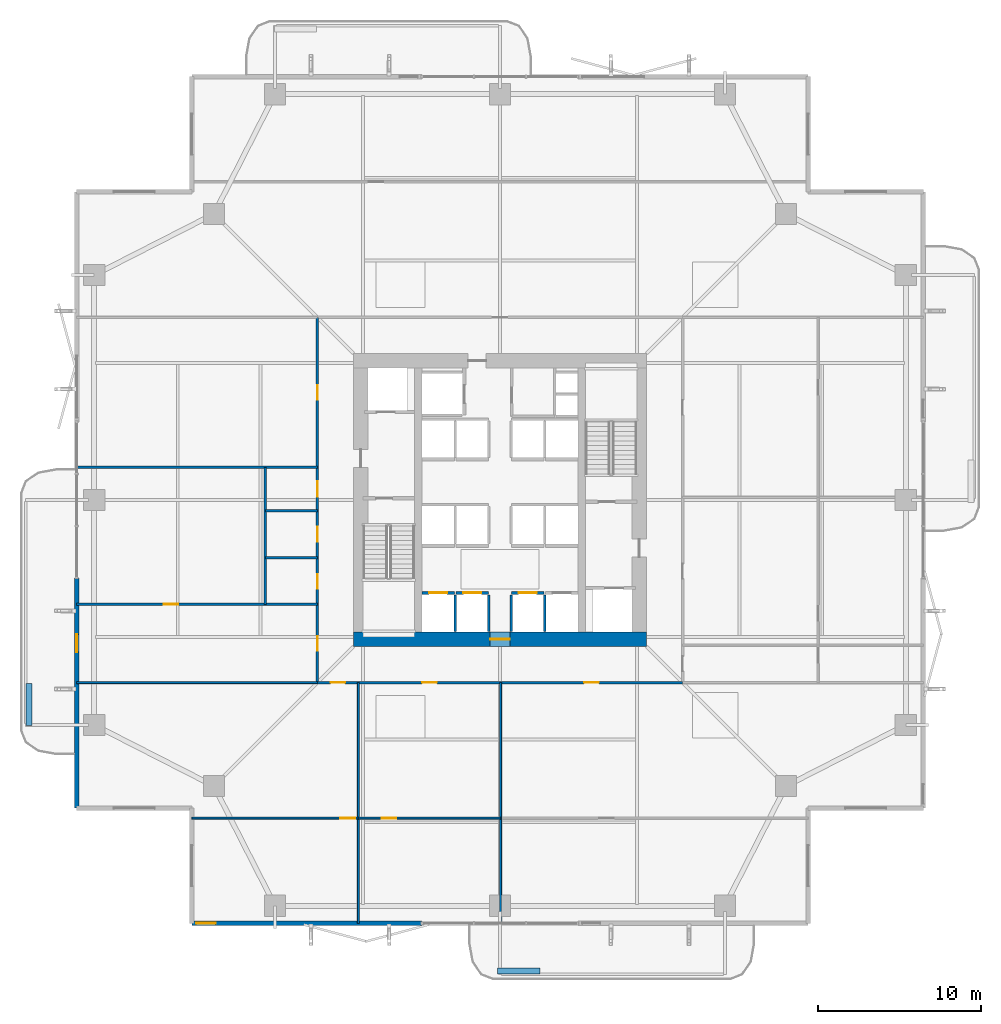
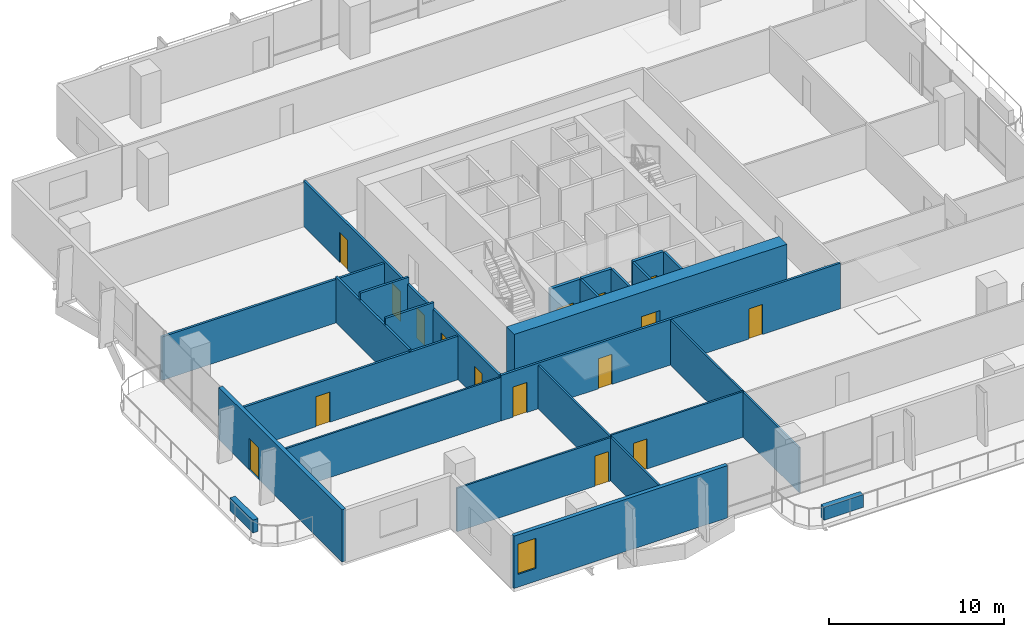
# One storey, part 17 of 24: 24 walls, 16 doors, 1 window, 17 openings.
"""IFC4 building model written with IfcOpenShell, lengths in metres."""

from ifc_helpers import new_model, si_unit, direction, frame, frame_2d, origin, place, context, subcontext, project, spatial, rectangle, extrude, material, layer, layer_set, type_object, element, fill, save


model = new_model("IFC4")

# Units and contexts
model_context = context("Model", 3, precision=1e-05, world=origin(), true_north=direction((0.0, 1.0)))
body_context = subcontext(model_context, "Body", "Model", "MODEL_VIEW")
ifc_project = project(units=[si_unit("LENGTHUNIT", "METRE"), si_unit("AREAUNIT", "SQUARE_METRE"), si_unit("VOLUMEUNIT", "CUBIC_METRE"), si_unit("PLANEANGLEUNIT", "RADIAN"), si_unit("MASSUNIT", "GRAM", prefix="KILO")], contexts=[model_context])

# Site, building, storey
site_placement = place(None, origin())
site = spatial("IfcSite", under=ifc_project, at=site_placement, CompositionType="ELEMENT")
building_placement = place(site_placement, origin())
building = spatial("IfcBuilding", under=site, at=building_placement, Name="Belovzor Exchange Tower", CompositionType="ELEMENT")
storey_placement = place(building_placement, frame((0.0, 0.0, 121.199951171875)))
storey = spatial("IfcBuildingStorey", under=building, at=storey_placement, Name="L29", CompositionType="ELEMENT", Elevation=121.199951171875)

# Wall, opening, door
ifc_material_1 = material(Name="Acoustic Plasterboard on Galvanised Studs", Category="gypsum")
ifc_layer_1 = layer(ifc_material_1, 0.1201171875)
ifc_layer_set_1 = layer_set([ifc_layer_1], Name="Acoustic Plasterboard on Galvanised Studs")
wall_type_1 = type_object("IfcWallType", Name="Acoustic Double-Stud Partition Wall 120", PredefinedType="PARTITIONING", material=ifc_layer_set_1)
wall_1_placement = place(storey_placement, frame((9.89990234375, 9.280029296875, 0.0), z_axis=(0.0, 0.0, 1.0), x_axis=(1.0, 0.0, 0.0)))
wall_1 = element("IfcWall", 1, at=wall_1_placement, inside=storey, type_object=wall_type_1, Name="W-P120 Partition Wall W-L29-SHDIV-0", PredefinedType="PARTITIONING", context=body_context, shape_type="SweptSolid", body=[
    extrude(rectangle(XDim=10.2080078125, YDim=0.1201171875, at=frame_2d((5.10400390625, 0.0))), origin(), (0.0, 0.0, 1.0), 3.03515625),
])
opening_1_placement = place(wall_1_placement, frame((9.10791015625, 0.0, 0.0)))
opening_1 = element("IfcOpeningElement", 2, at=opening_1_placement, cuts=wall_1, Name="Opening D-INT-090", PredefinedType="OPENING", context=body_context, shape_type="SweptSolid", body=[
    extrude(rectangle(XDim=0.89990234375, YDim=2.10009765625, at=frame_2d((0.449951171875, 1.050048828125))), frame((0.0, 0.070068359375, 0.0), z_axis=(0.0, -1.0, 0.0), x_axis=(1.0, 0.0, 0.0)), (0.0, 0.0, 1.0), 0.14013671875),
])
ifc_material_2 = material(Name="Veneered Hardwood Acoustic Leaf", Category="wood")
door_type_1 = type_object("IfcDoorType", Name="Trading Suite Acoustic Single Door 900x2100", OperationType="NOTDEFINED", PredefinedType="DOOR", material=ifc_material_2)
door_1_placement = place(opening_1_placement, origin())
door_1 = element("IfcDoor", 3, at=door_1_placement, inside=storey, type_object=door_type_1, Name="D-INT-090 Trading Suite Acoustic Single Door 900x2100", OperationType="SINGLE_SWING_LEFT", OverallHeight=2.10009765625, OverallWidth=0.89990234375, PredefinedType="DOOR", context=body_context, shape_type="SweptSolid", body=[
    extrude(rectangle(XDim=0.89990234375, YDim=2.10009765625, at=frame_2d((0.449951171875, 1.050048828125))), frame((0.0, 0.02490234375, 0.0), z_axis=(0.0, -1.0, 0.0), x_axis=(1.0, 0.0, 0.0)), (0.0, 0.0, 1.0), 0.050048828125),
])
fill(opening_1, door_1)

# Wall
wall_2_placement = place(storey_placement, frame((20.10791015625, 2.830078125, 0.0), z_axis=(0.0, 0.0, 1.0), x_axis=(0.0, 1.0, 0.0)))
element("IfcWall", 4, at=wall_2_placement, inside=storey, type_object=wall_type_1, Name="W-P120 Partition Wall W-L29-SDIV-1", PredefinedType="PARTITIONING", context=body_context, shape_type="SweptSolid", body=[
    extrude(rectangle(XDim=14.77001953125, YDim=0.1201171875, at=frame_2d((7.385009765625, 0.0))), origin(), (0.0, 0.0, 1.0), 3.03515625),
])

# Wall, opening, door
wall_3_placement = place(storey_placement, frame((20.10791015625, 9.280029296875, 0.0), z_axis=(0.0, 0.0, 1.0), x_axis=(1.0, 0.0, 0.0)))
wall_3 = element("IfcWall", 5, at=wall_3_placement, inside=storey, type_object=wall_type_1, Name="W-P120 Partition Wall W-L29-SHDIV-1", PredefinedType="PARTITIONING", context=body_context, shape_type="SweptSolid", body=[
    extrude(rectangle(XDim=8.731201171875, YDim=0.1201171875, at=frame_2d((4.36572265625, 0.0))), origin(), (0.0, 0.0, 1.0), 3.18505859375),
])
opening_2_placement = place(wall_3_placement, frame((1.43798828125, 0.0, 0.0)))
opening_2 = element("IfcOpeningElement", 6, at=opening_2_placement, cuts=wall_3, Name="Opening D-INT-090", PredefinedType="OPENING", context=body_context, shape_type="SweptSolid", body=[
    extrude(rectangle(XDim=0.89990234375, YDim=2.10009765625, at=frame_2d((0.449951171875, 1.050048828125))), frame((0.0, 0.070068359375, 0.0), z_axis=(0.0, -1.0, 0.0), x_axis=(1.0, 0.0, 0.0)), (0.0, 0.0, 1.0), 0.14013671875),
])
door_2_placement = place(opening_2_placement, origin())
door_2 = element("IfcDoor", 7, at=door_2_placement, inside=storey, type_object=door_type_1, Name="D-INT-090 Trading Suite Acoustic Single Door 900x2100", OperationType="SINGLE_SWING_LEFT", OverallHeight=2.10009765625, OverallWidth=0.89990234375, PredefinedType="DOOR", context=body_context, shape_type="SweptSolid", body=[
    extrude(rectangle(XDim=0.89990234375, YDim=2.10009765625, at=frame_2d((0.449951171875, 1.050048828125))), frame((0.0, 0.02490234375, 0.0), z_axis=(0.0, -1.0, 0.0), x_axis=(1.0, 0.0, 0.0)), (0.0, 0.0, 1.0), 0.050048828125),
])
fill(opening_2, door_2)

# Walls
wall_4_placement = place(storey_placement, frame((28.839111328125, 2.830078125, 0.0), z_axis=(0.0, 0.0, 1.0), x_axis=(0.0, 1.0, 0.0)))
element("IfcWall", 8, at=wall_4_placement, inside=storey, type_object=wall_type_1, Name="W-P120 Partition Wall W-L29-SDIV-2", PredefinedType="PARTITIONING", context=body_context, shape_type="SweptSolid", body=[
    extrude(rectangle(XDim=14.77001953125, YDim=0.1201171875, at=frame_2d((7.385009765625, 0.0))), origin(), (0.0, 0.0, 1.0), 3.135009765625),
])
wall_5_placement = place(storey_placement, frame((2.830078125, 17.60009765625, 0.0), z_axis=(0.0, 0.0, 1.0), x_axis=(1.0, 0.0, 0.0)))
element("IfcWall", 9, at=wall_5_placement, inside=storey, type_object=wall_type_1, Name="W-P120 Partition Wall W-L29-END-SW", PredefinedType="PARTITIONING", context=body_context, shape_type="SweptSolid", body=[
    extrude(rectangle(XDim=14.77001953125, YDim=0.1201171875, at=frame_2d((7.385009765625, 0.0))), origin(), (0.0, 0.0, 1.0), 3.03515625),
])
ifc_material_3 = material(Name="Fire-Rated Gypsum Block and Mineral Wool", Category="gypsum")
ifc_layer_2 = layer(ifc_material_3, 0.14990234375)
ifc_layer_set_2 = layer_set([ifc_layer_2], Name="Fire-Rated Gypsum Block and Mineral Wool")
wall_type_2 = type_object("IfcWallType", Name="Fire-Rated Gypsum Block Corridor Wall 150", PredefinedType="PARTITIONING", material=ifc_layer_set_2)
wall_6_placement = place(storey_placement, frame((14.39990234375, 22.39990234375, 0.0), z_axis=(0.0, 0.0, 1.0), x_axis=(0.0, 1.0, 0.0)))
element("IfcWall", 10, at=wall_6_placement, inside=storey, type_object=wall_type_2, Name="W-P150 Partition Wall W-L29-WCW", PredefinedType="PARTITIONING", context=body_context, shape_type="SweptSolid", body=[
    extrude(rectangle(XDim=8.400146484375, YDim=0.14990234375, at=frame_2d((4.2001953125, 0.0))), origin(), (0.0, 0.0, 1.0), 3.18505859375),
])

# Wall, opening, door
wall_7_placement = place(storey_placement, frame((2.830078125, 22.39990234375, 0.0), z_axis=(0.0, 0.0, 1.0), x_axis=(1.0, 0.0, 0.0)))
wall_7 = element("IfcWall", 11, at=wall_7_placement, inside=storey, type_object=wall_type_2, Name="W-P150 Partition Wall W-L29-WCS", PredefinedType="PARTITIONING", context=body_context, shape_type="SweptSolid", body=[
    extrude(rectangle(XDim=14.77001953125, YDim=0.14990234375, at=frame_2d((7.385009765625, 0.0))), origin(), (0.0, 0.0, 1.0), 3.03515625),
])
opening_3_placement = place(wall_7_placement, frame((5.3349609375, 0.0, 0.0)))
opening_3 = element("IfcOpeningElement", 12, at=opening_3_placement, cuts=wall_7, Name="Opening D-INT-090", PredefinedType="OPENING", context=body_context, shape_type="SweptSolid", body=[
    extrude(rectangle(XDim=0.89990234375, YDim=2.10009765625, at=frame_2d((0.449951171875, 1.050048828125))), frame((0.0, 0.0849609375, 0.0), z_axis=(0.0, -1.0, 0.0), x_axis=(1.0, 0.0, 0.0)), (0.0, 0.0, 1.0), 0.169921875),
])
door_3_placement = place(opening_3_placement, origin())
door_3 = element("IfcDoor", 13, at=door_3_placement, inside=storey, type_object=door_type_1, Name="D-INT-090 Trading Suite Acoustic Single Door 900x2100", OperationType="SINGLE_SWING_LEFT", OverallHeight=2.10009765625, OverallWidth=0.89990234375, PredefinedType="DOOR", context=body_context, shape_type="SweptSolid", body=[
    extrude(rectangle(XDim=0.89990234375, YDim=2.10009765625, at=frame_2d((0.449951171875, 1.050048828125))), frame((0.0, 0.02490234375, 0.0), z_axis=(0.0, -1.0, 0.0), x_axis=(1.0, 0.0, 0.0)), (0.0, 0.0, 1.0), 0.050048828125),
])
fill(opening_3, door_3)

# Walls
wall_8_placement = place(storey_placement, frame((2.830078125, 30.800048828125, 0.0), z_axis=(0.0, 0.0, 1.0), x_axis=(1.0, 0.0, 0.0)))
element("IfcWall", 14, at=wall_8_placement, inside=storey, type_object=wall_type_2, Name="W-P150 Partition Wall W-L29-WCN", PredefinedType="PARTITIONING", context=body_context, shape_type="SweptSolid", body=[
    extrude(rectangle(XDim=14.77001953125, YDim=0.14990234375, at=frame_2d((7.385009765625, 0.0))), origin(), (0.0, 0.0, 1.0), 3.03515625),
])
for number, where, z_axis, x_axis, name in (
    (15, (14.39990234375, 25.25, 0.0), (0.0, 0.0, 1.0), (1.0, 0.0, 0.0), "W-P150 Partition Wall W-L29-WCD1"),
    (16, (14.39990234375, 28.14990234375, 0.0), (0.0, 0.0, 1.0), (1.0, 0.0, 0.0), "W-P150 Partition Wall W-L29-WCD2"),
):
    element("IfcWall", number, at=place(storey_placement, frame(where, z_axis=z_axis, x_axis=x_axis)), inside=storey, type_object=wall_type_2, Name=name, PredefinedType="PARTITIONING", context=body_context, shape_type="SweptSolid", body=[
        extrude(rectangle(XDim=3.2001953125, YDim=0.14990234375, at=frame_2d((1.60009765625, 0.0))), origin(), (0.0, 0.0, 1.0), 3.650146484375),
    ])

# Wall, openings, doors
wall_9_placement = place(storey_placement, frame((17.60009765625, 17.60009765625, 0.0), z_axis=(0.0, 0.0, 1.0), x_axis=(1.0, 0.0, 0.0)))
wall_9 = element("IfcWall", 17, at=wall_9_placement, inside=storey, type_object=wall_type_2, Name="W-P150 Partition Wall W-L29-CS", PredefinedType="PARTITIONING", context=body_context, shape_type="SweptSolid", body=[
    extrude(rectangle(XDim=22.39990234375, YDim=0.14990234375, at=frame_2d((11.199951171875, 0.0))), origin(), (0.0, 0.0, 1.0), 3.18505859375),
])
opening_4_placement = place(wall_9_placement, frame((0.803955078125, 0.0, 0.0)))
opening_4 = element("IfcOpeningElement", 18, at=opening_4_placement, cuts=wall_9, Name="Opening D-INT-090", PredefinedType="OPENING", context=body_context, shape_type="SweptSolid", body=[
    extrude(rectangle(XDim=0.89990234375, YDim=2.10009765625, at=frame_2d((0.449951171875, 1.050048828125))), frame((0.0, 0.0849609375, 0.0), z_axis=(0.0, -1.0, 0.0), x_axis=(1.0, 0.0, 0.0)), (0.0, 0.0, 1.0), 0.169921875),
])
opening_5_placement = place(wall_9_placement, frame((6.424072265625, 0.0, 0.0)))
opening_5 = element("IfcOpeningElement", 19, at=opening_5_placement, cuts=wall_9, Name="Opening D-INT-090", PredefinedType="OPENING", context=body_context, shape_type="SweptSolid", body=[
    extrude(rectangle(XDim=0.89990234375, YDim=2.10009765625, at=frame_2d((0.449951171875, 1.050048828125))), frame((0.0, 0.0849609375, 0.0), z_axis=(0.0, -1.0, 0.0), x_axis=(1.0, 0.0, 0.0)), (0.0, 0.0, 1.0), 0.169921875),
])
opening_6_placement = place(wall_9_placement, frame((16.368896484375, 0.0, 0.0)))
opening_6 = element("IfcOpeningElement", 20, at=opening_6_placement, cuts=wall_9, Name="Opening D-INT-090", PredefinedType="OPENING", context=body_context, shape_type="SweptSolid", body=[
    extrude(rectangle(XDim=0.89990234375, YDim=2.10009765625, at=frame_2d((0.449951171875, 1.050048828125))), frame((0.0, 0.0849609375, 0.0), z_axis=(0.0, -1.0, 0.0), x_axis=(1.0, 0.0, 0.0)), (0.0, 0.0, 1.0), 0.169921875),
])
door_4_placement = place(opening_4_placement, origin())
door_4 = element("IfcDoor", 21, at=door_4_placement, inside=storey, type_object=door_type_1, Name="D-INT-090 Trading Suite Acoustic Single Door 900x2100", OperationType="SINGLE_SWING_RIGHT", OverallHeight=2.10009765625, OverallWidth=0.89990234375, PredefinedType="DOOR", context=body_context, shape_type="SweptSolid", body=[
    extrude(rectangle(XDim=0.89990234375, YDim=2.10009765625, at=frame_2d((0.449951171875, 1.050048828125))), frame((0.0, 0.02490234375, 0.0), z_axis=(0.0, -1.0, 0.0), x_axis=(1.0, 0.0, 0.0)), (0.0, 0.0, 1.0), 0.050048828125),
])
fill(opening_4, door_4)
door_5_placement = place(opening_5_placement, origin())
door_5 = element("IfcDoor", 22, at=door_5_placement, inside=storey, type_object=door_type_1, Name="D-INT-090 Trading Suite Acoustic Single Door 900x2100", OperationType="SINGLE_SWING_LEFT", OverallHeight=2.10009765625, OverallWidth=0.89990234375, PredefinedType="DOOR", context=body_context, shape_type="SweptSolid", body=[
    extrude(rectangle(XDim=0.89990234375, YDim=2.10009765625, at=frame_2d((0.449951171875, 1.050048828125))), frame((0.0, 0.02490234375, 0.0), z_axis=(0.0, -1.0, 0.0), x_axis=(1.0, 0.0, 0.0)), (0.0, 0.0, 1.0), 0.050048828125),
])
fill(opening_5, door_5)
door_6_placement = place(opening_6_placement, origin())
door_6 = element("IfcDoor", 23, at=door_6_placement, inside=storey, type_object=door_type_1, Name="D-INT-090 Trading Suite Acoustic Single Door 900x2100", OperationType="SINGLE_SWING_RIGHT", OverallHeight=2.10009765625, OverallWidth=0.89990234375, PredefinedType="DOOR", context=body_context, shape_type="SweptSolid", body=[
    extrude(rectangle(XDim=0.89990234375, YDim=2.10009765625, at=frame_2d((0.449951171875, 1.050048828125))), frame((0.0, 0.02490234375, 0.0), z_axis=(0.0, -1.0, 0.0), x_axis=(1.0, 0.0, 0.0)), (0.0, 0.0, 1.0), 0.050048828125),
])
fill(opening_6, door_6)

wall_10_placement = place(storey_placement, frame((17.60009765625, 17.60009765625, 0.0), z_axis=(0.0, 0.0, 1.0), x_axis=(0.0, 1.0, 0.0)))
wall_10 = element("IfcWall", 24, at=wall_10_placement, inside=storey, type_object=wall_type_2, Name="W-P150 Partition Wall W-L29-CW", PredefinedType="PARTITIONING", context=body_context, shape_type="SweptSolid", body=[
    extrude(rectangle(XDim=22.39990234375, YDim=0.14990234375, at=frame_2d((11.199951171875, 0.0))), origin(), (0.0, 0.0, 1.0), 3.18505859375),
])
opening_7_placement = place(wall_10_placement, frame((1.949951171875, 0.0, 0.0)))
opening_7 = element("IfcOpeningElement", 25, at=opening_7_placement, cuts=wall_10, Name="Opening D-INT-090", PredefinedType="OPENING", context=body_context, shape_type="SweptSolid", body=[
    extrude(rectangle(XDim=0.89990234375, YDim=2.10009765625, at=frame_2d((0.449951171875, 1.050048828125))), frame((0.0, 0.0849609375, 0.0), z_axis=(0.0, -1.0, 0.0), x_axis=(1.0, 0.0, 0.0)), (0.0, 0.0, 1.0), 0.169921875),
])
opening_8_placement = place(wall_10_placement, frame((5.75, 0.0, 0.0)))
opening_8 = element("IfcOpeningElement", 26, at=opening_8_placement, cuts=wall_10, Name="Opening D-FD60-090", PredefinedType="OPENING", context=body_context, shape_type="SweptSolid", body=[
    extrude(rectangle(XDim=0.89990234375, YDim=2.10009765625, at=frame_2d((0.449951171875, 1.050048828125))), frame((0.0, 0.0849609375, 0.0), z_axis=(0.0, -1.0, 0.0), x_axis=(1.0, 0.0, 0.0)), (0.0, 0.0, 1.0), 0.169921875),
])
opening_9_placement = place(wall_10_placement, frame((8.64990234375, 0.0, 0.0)))
opening_9 = element("IfcOpeningElement", 27, at=opening_9_placement, cuts=wall_10, Name="Opening D-FD60-090", PredefinedType="OPENING", context=body_context, shape_type="SweptSolid", body=[
    extrude(rectangle(XDim=0.89990234375, YDim=2.10009765625, at=frame_2d((0.449951171875, 1.050048828125))), frame((0.0, 0.0849609375, 0.0), z_axis=(0.0, -1.0, 0.0), x_axis=(1.0, 0.0, 0.0)), (0.0, 0.0, 1.0), 0.169921875),
])
opening_10_placement = place(wall_10_placement, frame((11.39990234375, 0.0, 0.0)))
opening_10 = element("IfcOpeningElement", 28, at=opening_10_placement, cuts=wall_10, Name="Opening D-FD60-095", PredefinedType="OPENING", context=body_context, shape_type="SweptSolid", body=[
    extrude(rectangle(XDim=0.949951171875, YDim=2.10009765625, at=frame_2d((0.47509765625, 1.050048828125))), frame((0.0, 0.0849609375, 0.0), z_axis=(0.0, -1.0, 0.0), x_axis=(1.0, 0.0, 0.0)), (0.0, 0.0, 1.0), 0.169921875),
])
opening_11_placement = place(wall_10_placement, frame((17.35009765625, 0.0, 0.0)))
opening_11 = element("IfcOpeningElement", 29, at=opening_11_placement, cuts=wall_10, Name="Opening D-INT-090", PredefinedType="OPENING", context=body_context, shape_type="SweptSolid", body=[
    extrude(rectangle(XDim=0.89990234375, YDim=2.10009765625, at=frame_2d((0.449951171875, 1.050048828125))), frame((0.0, 0.0849609375, 0.0), z_axis=(0.0, -1.0, 0.0), x_axis=(1.0, 0.0, 0.0)), (0.0, 0.0, 1.0), 0.169921875),
])
ifc_material_4 = material(Name="Moisture-Resistant Timber Fire Leaf", Category="wood")
door_type_2 = type_object("IfcDoorType", Name="Accessible Restroom Wide Fire Door 950x2100", OperationType="NOTDEFINED", PredefinedType="DOOR", material=ifc_material_4)
door_7_placement = place(opening_10_placement, origin())
door_7 = element("IfcDoor", 30, at=door_7_placement, inside=storey, type_object=door_type_2, Name="D-FD60-095 Accessible Restroom Wide Fire Door 950x2100", OperationType="SINGLE_SWING_LEFT", OverallHeight=2.10009765625, OverallWidth=0.949951171875, PredefinedType="DOOR", context=body_context, shape_type="SweptSolid", body=[
    extrude(rectangle(XDim=0.949951171875, YDim=2.10009765625, at=frame_2d((0.47509765625, 1.050048828125))), frame((0.0, 0.02490234375, 0.0), z_axis=(0.0, -1.0, 0.0), x_axis=(1.0, 0.0, 0.0)), (0.0, 0.0, 1.0), 0.050048828125),
])
fill(opening_10, door_7)
ifc_material_5 = material(Name="Acoustic Timber Fire Leaf", Category="wood")
door_type_3 = type_object("IfcDoorType", Name="Core Service & Restroom Fire Door 900x2100", OperationType="NOTDEFINED", PredefinedType="DOOR", material=ifc_material_5)
door_8_placement = place(opening_8_placement, origin())
door_8 = element("IfcDoor", 31, at=door_8_placement, inside=storey, type_object=door_type_3, Name="D-FD60-090 Core Service & Restroom Fire Door 900x2100", OperationType="SINGLE_SWING_LEFT", OverallHeight=2.10009765625, OverallWidth=0.89990234375, PredefinedType="DOOR", context=body_context, shape_type="SweptSolid", body=[
    extrude(rectangle(XDim=0.89990234375, YDim=2.10009765625, at=frame_2d((0.449951171875, 1.050048828125))), frame((0.0, 0.02490234375, 0.0), z_axis=(0.0, -1.0, 0.0), x_axis=(1.0, 0.0, 0.0)), (0.0, 0.0, 1.0), 0.050048828125),
])
fill(opening_8, door_8)
door_9_placement = place(opening_9_placement, origin())
door_9 = element("IfcDoor", 32, at=door_9_placement, inside=storey, type_object=door_type_3, Name="D-FD60-090 Core Service & Restroom Fire Door 900x2100", OperationType="SINGLE_SWING_RIGHT", OverallHeight=2.10009765625, OverallWidth=0.89990234375, PredefinedType="DOOR", context=body_context, shape_type="SweptSolid", body=[
    extrude(rectangle(XDim=0.89990234375, YDim=2.10009765625, at=frame_2d((0.449951171875, 1.050048828125))), frame((0.0, 0.02490234375, 0.0), z_axis=(0.0, -1.0, 0.0), x_axis=(1.0, 0.0, 0.0)), (0.0, 0.0, 1.0), 0.050048828125),
])
fill(opening_9, door_9)
door_10_placement = place(opening_7_placement, origin())
door_10 = element("IfcDoor", 33, at=door_10_placement, inside=storey, type_object=door_type_1, Name="D-INT-090 Trading Suite Acoustic Single Door 900x2100", OperationType="SINGLE_SWING_LEFT", OverallHeight=2.10009765625, OverallWidth=0.89990234375, PredefinedType="DOOR", context=body_context, shape_type="SweptSolid", body=[
    extrude(rectangle(XDim=0.89990234375, YDim=2.10009765625, at=frame_2d((0.449951171875, 1.050048828125))), frame((0.0, 0.02490234375, 0.0), z_axis=(0.0, -1.0, 0.0), x_axis=(1.0, 0.0, 0.0)), (0.0, 0.0, 1.0), 0.050048828125),
])
fill(opening_7, door_10)
door_11_placement = place(opening_11_placement, origin())
door_11 = element("IfcDoor", 34, at=door_11_placement, inside=storey, type_object=door_type_1, Name="D-INT-090 Trading Suite Acoustic Single Door 900x2100", OperationType="SINGLE_SWING_RIGHT", OverallHeight=2.10009765625, OverallWidth=0.89990234375, PredefinedType="DOOR", context=body_context, shape_type="SweptSolid", body=[
    extrude(rectangle(XDim=0.89990234375, YDim=2.10009765625, at=frame_2d((0.449951171875, 1.050048828125))), frame((0.0, 0.02490234375, 0.0), z_axis=(0.0, -1.0, 0.0), x_axis=(1.0, 0.0, 0.0)), (0.0, 0.0, 1.0), 0.050048828125),
])
fill(opening_11, door_11)

# Wall, opening, window
ifc_material_6 = material(Name="Precast concrete C40/50", Category="concrete")
ifc_layer_3 = layer(ifc_material_6, 0.260009765625)
ifc_layer_set_3 = layer_set([ifc_layer_3], Name="Precast concrete C40/50")
wall_type_3 = type_object("IfcWallType", Name="Precast Concrete Perimeter Loggia Frame Wall 260", PredefinedType="SOLIDWALL", material=ifc_layer_set_3)
wall_11_placement = place(storey_placement, frame((24.0, 2.830078125, 0.0), z_axis=(0.0, 0.0, 1.0), x_axis=(-1.0, 0.0, 0.0)))
wall_11 = element("IfcWall", 35, at=wall_11_placement, inside=storey, type_object=wall_type_3, Name="W-EXT260 Precast Concrete Perimeter Loggia Frame Wall 260 L29", PredefinedType="SOLIDWALL", context=body_context, shape_type="SweptSolid", body=[
    extrude(rectangle(XDim=14.10009765625, YDim=0.260009765625, at=frame_2d((7.050048828125, 0.0))), origin(), (0.0, 0.0, 1.0), 3.650146484375),
])
opening_12_placement = place(wall_11_placement, frame((12.64990234375, 0.0, 0.89990234375)))
opening_12 = element("IfcOpeningElement", 36, at=opening_12_placement, cuts=wall_11, Name="Opening WN-CRN120", PredefinedType="OPENING", context=body_context, shape_type="SweptSolid", body=[
    extrude(rectangle(XDim=1.199951171875, YDim=2.10009765625, at=frame_2d((0.60009765625, 1.050048828125))), frame((0.0, 0.139892578125, 0.0), z_axis=(0.0, -1.0, 0.0), x_axis=(1.0, 0.0, 0.0)), (0.0, 0.0, 1.0), 0.280029296875),
])
ifc_material_7 = material(Name="Thermally Broken Aluminium and Triple Glazing", Category="aluminium")
window_type = type_object("IfcWindowType", Name="Streamline Notched Corner Window 1200x2100", PartitioningType="SINGLE_PANEL", PredefinedType="WINDOW", material=ifc_material_7)
window_placement = place(opening_12_placement, origin())
window = element("IfcWindow", 37, at=window_placement, inside=storey, type_object=window_type, Name="WN-CRN120 Streamline Notched Corner Window 1200x2100", OverallHeight=2.10009765625, OverallWidth=1.199951171875, PartitioningType="SINGLE_PANEL", PredefinedType="WINDOW", context=body_context, shape_type="SweptSolid", body=[
    extrude(rectangle(XDim=1.199951171875, YDim=2.10009765625, at=frame_2d((0.60009765625, 1.050048828125))), frame((0.0, 0.030029296875, 0.0), z_axis=(0.0, -1.0, 0.0), x_axis=(1.0, 0.0, 0.0)), (0.0, 0.0, 1.0), 0.06005859375),
])
fill(opening_12, window)

# Wall, opening, door
wall_12_placement = place(storey_placement, frame((2.830078125, 9.89990234375, 0.0), z_axis=(0.0, 0.0, 1.0), x_axis=(0.0, 1.0, 0.0)))
wall_12 = element("IfcWall", 38, at=wall_12_placement, inside=storey, type_object=wall_type_3, Name="W-EXT260 Precast Concrete Perimeter Loggia Frame Wall 260 L29", PredefinedType="SOLIDWALL", context=body_context, shape_type="SweptSolid", body=[
    extrude(rectangle(XDim=14.10009765625, YDim=0.260009765625, at=frame_2d((7.050048828125, 0.0))), origin(), (0.0, 0.0, 1.0), 3.650146484375),
])
opening_13_placement = place(wall_12_placement, frame((9.56103515625, 0.0, 0.0)))
opening_13 = element("IfcOpeningElement", 39, at=opening_13_placement, cuts=wall_12, Name="Opening D-BAL110", PredefinedType="OPENING", context=body_context, shape_type="SweptSolid", body=[
    extrude(rectangle(XDim=1.10009765625, YDim=2.199951171875, at=frame_2d((0.550048828125, 1.10009765625))), frame((0.0, 0.139892578125, 0.0), z_axis=(0.0, -1.0, 0.0), x_axis=(1.0, 0.0, 0.0)), (0.0, 0.0, 1.0), 0.280029296875),
])
ifc_material_8 = material(Name="Thermally Broken Anodised Aluminium and Laminated Glass", Category="aluminium")
door_type_4 = type_object("IfcDoorType", Name="Planted Loggia Terrace Glazed Door 1100x2200", OperationType="SINGLE_SWING_LEFT", PredefinedType="DOOR", material=ifc_material_8)
door_12_placement = place(opening_13_placement, origin())
door_12 = element("IfcDoor", 40, at=door_12_placement, inside=storey, type_object=door_type_4, Name="D-BAL110 Balcony Terrace Door L29 W", OperationType="SINGLE_SWING_RIGHT", OverallHeight=2.199951171875, OverallWidth=1.10009765625, PredefinedType="DOOR", context=body_context, shape_type="SweptSolid", body=[
    extrude(rectangle(XDim=1.10009765625, YDim=2.199951171875, at=frame_2d((0.550048828125, 1.10009765625))), frame((0.0, 0.02490234375, 0.0), z_axis=(0.0, -1.0, 0.0), x_axis=(1.0, 0.0, 0.0)), (0.0, 0.0, 1.0), 0.050048828125),
])
fill(opening_13, door_12)

# Walls
ifc_material_9 = material(Name="Precast concrete C40/50", Category="concrete")
ifc_layer_4 = layer(ifc_material_9, 0.35009765625)
ifc_layer_set_4 = layer_set([ifc_layer_4], Name="Precast concrete C40/50")
wall_type_4 = type_object("IfcWallType", Name="Precast Concrete Structural Tree Planter Trough 350", PredefinedType="PARAPET", material=ifc_layer_set_4)
for number, where, z_axis, x_axis, name in (
    (41, (28.64990234375, -0.10009765625, 0.0), (0.0, 0.0, 1.0), (1.0, 0.0, 0.0), "PT-350 Precast Concrete Structural Tree Planter Trough 350 L29"),
    (42, (-0.10009765625, 14.949951171875, 0.0), (0.0, 0.0, 1.0), (0.0, 1.0, 0.0), "PT-350 Precast Concrete Structural Tree Planter Trough 350 L29"),
):
    element("IfcWall", number, at=place(storey_placement, frame(where, z_axis=z_axis, x_axis=x_axis)), inside=storey, type_object=wall_type_4, Name=name, PredefinedType="PARAPET", context=body_context, shape_type="SweptSolid", body=[
        extrude(rectangle(XDim=2.60009765625, YDim=0.35009765625, at=frame_2d((1.300048828125, 0.0))), origin(), (0.0, 0.0, 1.0), 0.900146484375),
    ])
ifc_material_10 = material(Name="Concrete C50/60", Category="concrete")
ifc_layer_5 = layer(ifc_material_10, 0.14990234375)
ifc_layer_set_5 = layer_set([ifc_layer_5], Name="Concrete C50/60")
wall_type_5 = type_object("IfcWallType", Name="Reinforced Concrete Core Riser Shear Wall 150", PredefinedType="SHEAR", material=ifc_layer_set_5)
for number, where, z_axis, x_axis, name in (
    (43, (26.050048828125, 20.719970703125, 0.0), (0.0, 0.0, 1.0), (0.0, 1.0, 0.0), "W-C150S Core Shaft Wall W-SHD-L29-PLL-1"),
    (44, (28.10009765625, 20.719970703125, 0.0), (0.0, 0.0, 1.0), (0.0, 1.0, 0.0), "W-C150S Core Shaft Wall W-SHD-L29-PLL-2"),
    (45, (29.5, 20.719970703125, 0.0), (0.0, 0.0, 1.0), (0.0, 1.0, 0.0), "W-C150S Core Shaft Wall W-SHD-L29-PLL-3"),
    (46, (31.550048828125, 20.719970703125, 0.0), (0.0, 0.0, 1.0), (0.0, 1.0, 0.0), "W-C150S Core Shaft Wall W-SHD-L29-PLL-4"),
):
    element("IfcWall", number, at=place(storey_placement, frame(where, z_axis=z_axis, x_axis=x_axis)), inside=storey, type_object=wall_type_5, Name=name, PredefinedType="SHEAR", context=body_context, shape_type="SweptSolid", body=[
        extrude(rectangle(XDim=2.260009765625, YDim=0.14990234375, at=frame_2d((1.1298828125, 0.0))), origin(), (0.0, 0.0, 1.0), 3.650146484375),
    ])

# Wall, opening, door
ifc_material_11 = material(Name="Concrete C50/60", Category="concrete")
ifc_layer_6 = layer(ifc_material_11, 0.199951171875)
ifc_layer_set_6 = layer_set([ifc_layer_6], Name="Concrete C50/60")
wall_type_6 = type_object("IfcWallType", Name="Reinforced Concrete Core Shaft Shear Wall 200", PredefinedType="SHEAR", material=ifc_layer_set_6)
wall_13_placement = place(storey_placement, frame((24.0, 23.10009765625, 0.0), z_axis=(0.0, 0.0, 1.0), x_axis=(1.0, 0.0, 0.0)))
wall_13 = element("IfcWall", 47, at=wall_13_placement, inside=storey, type_object=wall_type_6, Name="W-C200S Core Shaft Wall W-SH-L29-PL-L1", PredefinedType="SHEAR", context=body_context, shape_type="SweptSolid", body=[
    extrude(rectangle(XDim=2.0, YDim=0.199951171875, at=frame_2d((1.0, 0.0))), origin(), (0.0, 0.0, 1.0), 3.650146484375),
])
opening_14_placement = place(wall_13_placement, frame((0.449951171875, 0.0, 0.0)))
opening_14 = element("IfcOpeningElement", 48, at=opening_14_placement, cuts=wall_13, Name="Opening LD-110", PredefinedType="OPENING", context=body_context, shape_type="SweptSolid", body=[
    extrude(rectangle(XDim=1.10009765625, YDim=2.14990234375, at=frame_2d((0.550048828125, 1.074951171875))), frame((0.0, 0.10986328125, 0.0), z_axis=(0.0, -1.0, 0.0), x_axis=(1.0, 0.0, 0.0)), (0.0, 0.0, 1.0), 0.219970703125),
])
ifc_material_12 = material(Name="Stainless Steel Grade 304", Category="steel")
door_type_5 = type_object("IfcDoorType", Name="Automated Stainless Steel Lift Landing Door 1100x2150", OperationType="SLIDING_TO_RIGHT", PredefinedType="DOOR", material=ifc_material_12)
door_13_placement = place(opening_14_placement, origin())
door_13 = element("IfcDoor", 49, at=door_13_placement, inside=storey, type_object=door_type_5, Name="LD-110 Automated Stainless Steel Lift Landing Door 1100x2150", OperationType="SLIDING_TO_RIGHT", OverallHeight=2.14990234375, OverallWidth=1.10009765625, PredefinedType="DOOR", context=body_context, shape_type="SweptSolid", body=[
    extrude(rectangle(XDim=1.10009765625, YDim=2.14990234375, at=frame_2d((0.550048828125, 1.074951171875))), frame((0.0, 0.02490234375, 0.0), z_axis=(0.0, -1.0, 0.0), x_axis=(1.0, 0.0, 0.0)), (0.0, 0.0, 1.0), 0.050048828125),
])
fill(opening_14, door_13)

wall_14_placement = place(storey_placement, frame((26.10009765625, 23.10009765625, 0.0), z_axis=(0.0, 0.0, 1.0), x_axis=(1.0, 0.0, 0.0)))
wall_14 = element("IfcWall", 50, at=wall_14_placement, inside=storey, type_object=wall_type_6, Name="W-C200S Core Shaft Wall W-SH-L29-PL-L2", PredefinedType="SHEAR", context=body_context, shape_type="SweptSolid", body=[
    extrude(rectangle(XDim=2.0, YDim=0.199951171875, at=frame_2d((1.0, 0.0))), origin(), (0.0, 0.0, 1.0), 3.650146484375),
])
opening_15_placement = place(wall_14_placement, frame((0.449951171875, 0.0, 0.0)))
opening_15 = element("IfcOpeningElement", 51, at=opening_15_placement, cuts=wall_14, Name="Opening LD-110", PredefinedType="OPENING", context=body_context, shape_type="SweptSolid", body=[
    extrude(rectangle(XDim=1.10009765625, YDim=2.14990234375, at=frame_2d((0.550048828125, 1.074951171875))), frame((0.0, 0.10986328125, 0.0), z_axis=(0.0, -1.0, 0.0), x_axis=(1.0, 0.0, 0.0)), (0.0, 0.0, 1.0), 0.219970703125),
])
door_14_placement = place(opening_15_placement, origin())
door_14 = element("IfcDoor", 52, at=door_14_placement, inside=storey, type_object=door_type_5, Name="LD-110 Automated Stainless Steel Lift Landing Door 1100x2150", OperationType="SLIDING_TO_RIGHT", OverallHeight=2.14990234375, OverallWidth=1.10009765625, PredefinedType="DOOR", context=body_context, shape_type="SweptSolid", body=[
    extrude(rectangle(XDim=1.10009765625, YDim=2.14990234375, at=frame_2d((0.550048828125, 1.074951171875))), frame((0.0, 0.02490234375, 0.0), z_axis=(0.0, -1.0, 0.0), x_axis=(1.0, 0.0, 0.0)), (0.0, 0.0, 1.0), 0.050048828125),
])
fill(opening_15, door_14)

wall_15_placement = place(storey_placement, frame((29.5, 23.10009765625, 0.0), z_axis=(0.0, 0.0, 1.0), x_axis=(1.0, 0.0, 0.0)))
wall_15 = element("IfcWall", 53, at=wall_15_placement, inside=storey, type_object=wall_type_6, Name="W-C200S Core Shaft Wall W-SH-L29-PL-L3", PredefinedType="SHEAR", context=body_context, shape_type="SweptSolid", body=[
    extrude(rectangle(XDim=2.0, YDim=0.199951171875, at=frame_2d((1.0, 0.0))), origin(), (0.0, 0.0, 1.0), 3.650146484375),
])
opening_16_placement = place(wall_15_placement, frame((0.449951171875, 0.0, 0.0)))
opening_16 = element("IfcOpeningElement", 54, at=opening_16_placement, cuts=wall_15, Name="Opening LD-110", PredefinedType="OPENING", context=body_context, shape_type="SweptSolid", body=[
    extrude(rectangle(XDim=1.10009765625, YDim=2.14990234375, at=frame_2d((0.550048828125, 1.074951171875))), frame((0.0, 0.10986328125, 0.0), z_axis=(0.0, -1.0, 0.0), x_axis=(1.0, 0.0, 0.0)), (0.0, 0.0, 1.0), 0.219970703125),
])
door_15_placement = place(opening_16_placement, origin())
door_15 = element("IfcDoor", 55, at=door_15_placement, inside=storey, type_object=door_type_5, Name="LD-110 Automated Stainless Steel Lift Landing Door 1100x2150", OperationType="SLIDING_TO_RIGHT", OverallHeight=2.14990234375, OverallWidth=1.10009765625, PredefinedType="DOOR", context=body_context, shape_type="SweptSolid", body=[
    extrude(rectangle(XDim=1.10009765625, YDim=2.14990234375, at=frame_2d((0.550048828125, 1.074951171875))), frame((0.0, 0.02490234375, 0.0), z_axis=(0.0, -1.0, 0.0), x_axis=(1.0, 0.0, 0.0)), (0.0, 0.0, 1.0), 0.050048828125),
])
fill(opening_16, door_15)

ifc_material_13 = material(Name="Concrete C60/75", Category="concrete")
ifc_layer_7 = layer(ifc_material_13, 0.89990234375)
ifc_layer_set_7 = layer_set([ifc_layer_7], Name="Concrete C60/75")
wall_type_7 = type_object("IfcWallType", Name="Reinforced Concrete Core Shear Wall 900", PredefinedType="SHEAR", material=ifc_layer_set_7)
wall_16_placement = place(storey_placement, frame((19.800048828125, 20.25, 0.0), z_axis=(0.0, 0.0, 1.0), x_axis=(1.0, 0.0, 0.0)))
wall_16 = element("IfcWall", 56, at=wall_16_placement, inside=storey, type_object=wall_type_7, Name="CW-S090 Core Shear Wall L29 S", PredefinedType="SHEAR", context=body_context, shape_type="SweptSolid", body=[
    extrude(rectangle(XDim=18.0, YDim=0.89990234375, at=frame_2d((9.0, 0.0))), origin(), (0.0, 0.0, 1.0), 3.900146484375),
])
opening_17_placement = place(wall_16_placement, frame((8.39990234375, 0.0, 0.0)))
opening_17 = element("IfcOpeningElement", 57, at=opening_17_placement, cuts=wall_16, Name="Opening D-FD90-120", PredefinedType="OPENING", context=body_context, shape_type="SweptSolid", body=[
    extrude(rectangle(XDim=1.199951171875, YDim=2.199951171875, at=frame_2d((0.60009765625, 1.10009765625))), frame((0.0, 0.4599609375, 0.0), z_axis=(0.0, -1.0, 0.0), x_axis=(1.0, 0.0, 0.0)), (0.0, 0.0, 1.0), 0.919921875),
])
ifc_material_14 = material(Name="Fire-Rated Galvanised Steel Leaf", Category="steel")
door_type_6 = type_object("IfcDoorType", Name="Heavy Plant & Foyer Fire Door 1200x2200", OperationType="NOTDEFINED", PredefinedType="DOOR", material=ifc_material_14)
door_16_placement = place(opening_17_placement, origin())
door_16 = element("IfcDoor", 58, at=door_16_placement, inside=storey, type_object=door_type_6, Name="D-FD90-120 Heavy Plant & Foyer Fire Door 1200x2200", OperationType="SINGLE_SWING_LEFT", OverallHeight=2.199951171875, OverallWidth=1.199951171875, PredefinedType="DOOR", context=body_context, shape_type="SweptSolid", body=[
    extrude(rectangle(XDim=1.199951171875, YDim=2.199951171875, at=frame_2d((0.60009765625, 1.10009765625))), frame((0.0, 0.02490234375, 0.0), z_axis=(0.0, -1.0, 0.0), x_axis=(1.0, 0.0, 0.0)), (0.0, 0.0, 1.0), 0.050048828125),
])
fill(opening_17, door_16)

save(model, "model.ifc")
